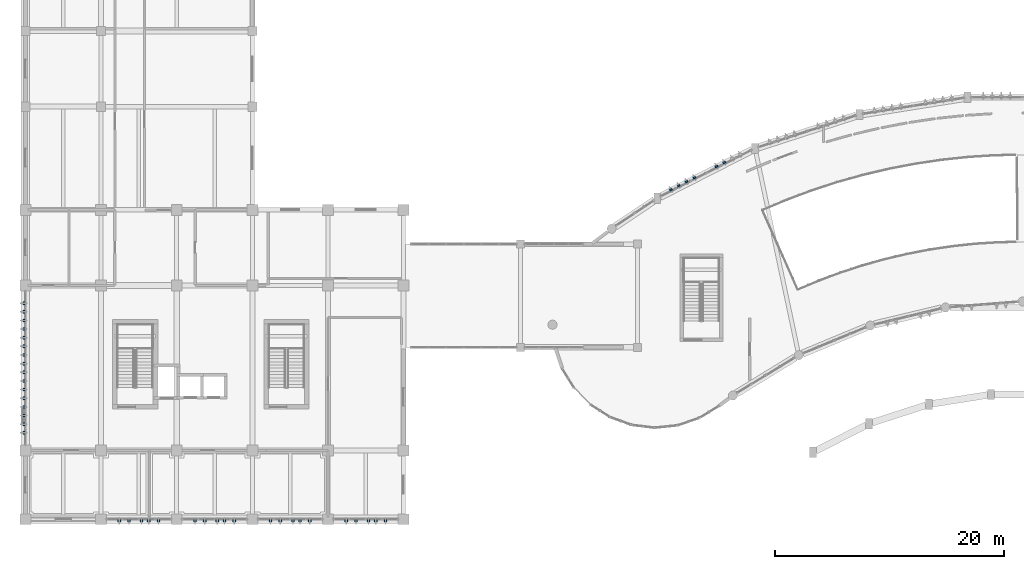
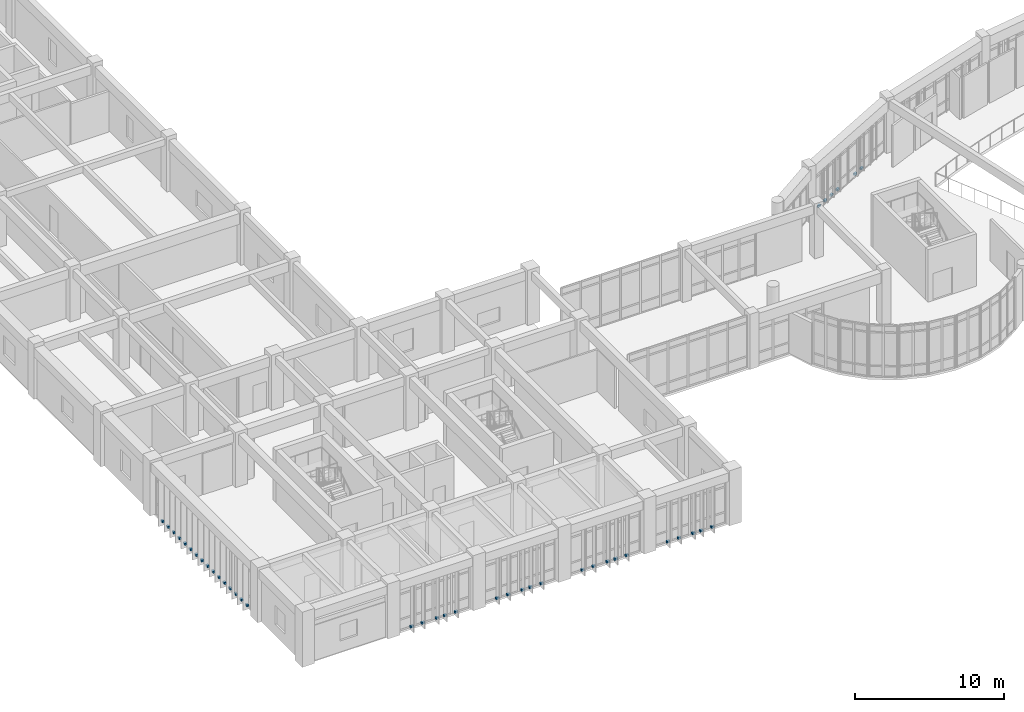
# One storey, part 51 of 57: 42 discrete accessories.
"""IFC4 building model written with IfcOpenShell, lengths in metres."""

from ifc_helpers import new_model, si_unit, direction, frame, origin, origin_2d, place, context, subcontext, project, spatial, rectangle, extrude, material, type_object, element, save


model = new_model("IFC4")

# Units and contexts
model_context = context("Model", 3, precision=1e-05, world=origin(), true_north=direction((0.0, 1.0)))
body_context = subcontext(model_context, "Body", "Model", "MODEL_VIEW")
ifc_project = project(units=[si_unit("LENGTHUNIT", "METRE"), si_unit("AREAUNIT", "SQUARE_METRE"), si_unit("VOLUMEUNIT", "CUBIC_METRE"), si_unit("PLANEANGLEUNIT", "RADIAN"), si_unit("MASSUNIT", "GRAM", prefix="KILO")], contexts=[model_context])

# Site, building, storey
site_placement = place(None, origin())
site = spatial("IfcSite", under=ifc_project, at=site_placement, CompositionType="ELEMENT")
building_placement = place(site_placement, origin())
building = spatial("IfcBuilding", under=site, at=building_placement, Name="Miralva Faculty of Natural Sciences", CompositionType="ELEMENT")
storey_placement = place(building_placement, frame((0.0, 0.0, 15.0)))
storey = spatial("IfcBuildingStorey", under=building, at=storey_placement, Name="L03", CompositionType="ELEMENT", Elevation=15.0)

# Discrete accessories
ifc_material = material(Name="Steel S355", Category="steel")
discrete_accessory_type = type_object("IfcDiscreteAccessoryType", Name="ACC-BRK01", PredefinedType="BRACKET", material=ifc_material)
for number, where, z_axis, x_axis, name in (
    (1, (59.319580078125, 31.753173828125, 0.0400390625), (0.0, 0.0, 1.0), (-0.45399049974, 0.891006524188, 0.0), "Solar fin bracket L03-85"),
    (2, (60.003662109375, 32.1015625, 0.0400390625), (0.0, 0.0, 1.0), (-0.45399049974, 0.891006524188, 0.0), "Solar fin bracket L03-86"),
    (3, (60.6875, 32.4501953125, 0.0400390625), (0.0, 0.0, 1.0), (-0.45399049974, 0.891006524188, 0.0), "Solar fin bracket L03-87"),
    (4, (61.37158203125, 32.798583984375, 0.0400390625), (0.0, 0.0, 1.0), (-0.45399049974, 0.891006524188, 0.0), "Solar fin bracket L03-88"),
    (5, (63.29931640625, 33.781005859375, 0.0400390625), (0.0, 0.0, 1.0), (-0.45399049974, 0.891006524188, 0.0), "Solar fin bracket L03-89"),
    (6, (63.984375, 34.1298828125, 0.0400390625), (0.0, 0.0, 1.0), (-0.45399049974, 0.891006524188, 0.0), "Solar fin bracket L03-90"),
    (7, (11.18310546875, 2.8798828125, 0.0400390625), (0.0, 0.0, 1.0), (0.0, -1.0, 0.0), "Solar fin bracket L03-261"),
    (8, (12.0390625, 2.8798828125, 0.0400390625), (0.0, 0.0, 1.0), (0.0, -1.0, 0.0), "Solar fin bracket L03-262"),
    (9, (13.135009765625, 2.8798828125, 0.0400390625), (0.0, 0.0, 1.0), (0.0, -1.0, 0.0), "Solar fin bracket L03-263"),
    (10, (13.7509765625, 2.8798828125, 0.0400390625), (0.0, 0.0, 1.0), (0.0, -1.0, 0.0), "Solar fin bracket L03-264"),
    (11, (14.60693359375, 2.8798828125, 0.0400390625), (0.0, 0.0, 1.0), (0.0, -1.0, 0.0), "Solar fin bracket L03-265"),
    (12, (17.783935546875, 2.8798828125, 0.0400390625), (0.0, 0.0, 1.0), (0.0, -1.0, 0.0), "Solar fin bracket L03-266"),
    (13, (18.64208984375, 2.8798828125, 0.0400390625), (0.0, 0.0, 1.0), (0.0, -1.0, 0.0), "Solar fin bracket L03-267"),
    (14, (19.739990234375, 2.8798828125, 0.0400390625), (0.0, 0.0, 1.0), (0.0, -1.0, 0.0), "Solar fin bracket L03-268"),
    (15, (20.35791015625, 2.8798828125, 0.0400390625), (0.0, 0.0, 1.0), (0.0, -1.0, 0.0), "Solar fin bracket L03-269"),
    (16, (21.216064453125, 2.8798828125, 0.0400390625), (0.0, 0.0, 1.0), (0.0, -1.0, 0.0), "Solar fin bracket L03-270"),
    (17, (24.383056640625, 2.8798828125, 0.0400390625), (0.0, 0.0, 1.0), (0.0, -1.0, 0.0), "Solar fin bracket L03-271"),
    (18, (25.239013671875, 2.8798828125, 0.0400390625), (0.0, 0.0, 1.0), (0.0, -1.0, 0.0), "Solar fin bracket L03-272"),
    (19, (26.3349609375, 2.8798828125, 0.0400390625), (0.0, 0.0, 1.0), (0.0, -1.0, 0.0), "Solar fin bracket L03-273"),
    (20, (26.950927734375, 2.8798828125, 0.0400390625), (0.0, 0.0, 1.0), (0.0, -1.0, 0.0), "Solar fin bracket L03-274"),
    (21, (27.806884765625, 2.8798828125, 0.0400390625), (0.0, 0.0, 1.0), (0.0, -1.0, 0.0), "Solar fin bracket L03-275"),
    (22, (30.98388671875, 2.8798828125, 0.0400390625), (0.0, 0.0, 1.0), (0.0, -1.0, 0.0), "Solar fin bracket L03-276"),
    (23, (31.842041015625, 2.8798828125, 0.0400390625), (0.0, 0.0, 1.0), (0.0, -1.0, 0.0), "Solar fin bracket L03-277"),
    (24, (32.93994140625, 2.8798828125, 0.0400390625), (0.0, 0.0, 1.0), (0.0, -1.0, 0.0), "Solar fin bracket L03-278"),
    (25, (33.55810546875, 2.8798828125, 0.0400390625), (0.0, 0.0, 1.0), (0.0, -1.0, 0.0), "Solar fin bracket L03-279"),
    (26, (34.416015625, 2.8798828125, 0.0400390625), (0.0, 0.0, 1.0), (0.0, -1.0, 0.0), "Solar fin bracket L03-280"),
    (27, (2.8798828125, 10.542236328125, 0.0400390625), (0.0, 0.0, 1.0), (-1.0, 0.0, 0.0), "Solar fin bracket L03-281"),
    (28, (2.8798828125, 11.296630859375, 0.0400390625), (0.0, 0.0, 1.0), (-1.0, 0.0, 0.0), "Solar fin bracket L03-282"),
    (29, (2.8798828125, 12.05078125, 0.0400390625), (0.0, 0.0, 1.0), (-1.0, 0.0, 0.0), "Solar fin bracket L03-283"),
    (30, (2.8798828125, 12.805419921875, 0.0400390625), (0.0, 0.0, 1.0), (-1.0, 0.0, 0.0), "Solar fin bracket L03-284"),
    (31, (2.8798828125, 13.559814453125, 0.0400390625), (0.0, 0.0, 1.0), (-1.0, 0.0, 0.0), "Solar fin bracket L03-285"),
    (32, (2.8798828125, 14.314208984375, 0.0400390625), (0.0, 0.0, 1.0), (-1.0, 0.0, 0.0), "Solar fin bracket L03-286"),
    (33, (2.8798828125, 15.068359375, 0.0400390625), (0.0, 0.0, 1.0), (-1.0, 0.0, 0.0), "Solar fin bracket L03-287"),
    (34, (2.8798828125, 15.82275390625, 0.0400390625), (0.0, 0.0, 1.0), (-1.0, 0.0, 0.0), "Solar fin bracket L03-288"),
    (35, (2.8798828125, 16.5771484375, 0.0400390625), (0.0, 0.0, 1.0), (-1.0, 0.0, 0.0), "Solar fin bracket L03-289"),
    (36, (2.8798828125, 17.33154296875, 0.0400390625), (0.0, 0.0, 1.0), (-1.0, 0.0, 0.0), "Solar fin bracket L03-290"),
    (37, (2.8798828125, 18.0859375, 0.0400390625), (0.0, 0.0, 1.0), (-1.0, 0.0, 0.0), "Solar fin bracket L03-291"),
    (38, (2.8798828125, 18.84033203125, 0.0400390625), (0.0, 0.0, 1.0), (-1.0, 0.0, 0.0), "Solar fin bracket L03-292"),
    (39, (2.8798828125, 19.5947265625, 0.0400390625), (0.0, 0.0, 1.0), (-1.0, 0.0, 0.0), "Solar fin bracket L03-293"),
    (40, (2.8798828125, 20.34912109375, 0.0400390625), (0.0, 0.0, 1.0), (-1.0, 0.0, 0.0), "Solar fin bracket L03-294"),
    (41, (2.8798828125, 21.103515625, 0.0400390625), (0.0, 0.0, 1.0), (-1.0, 0.0, 0.0), "Solar fin bracket L03-295"),
    (42, (2.8798828125, 21.85791015625, 0.0400390625), (0.0, 0.0, 1.0), (-1.0, 0.0, 0.0), "Solar fin bracket L03-296"),
):
    element("IfcDiscreteAccessory", number, at=place(storey_placement, frame(where, z_axis=z_axis, x_axis=x_axis)), inside=storey, type_object=discrete_accessory_type, Name=name, PredefinedType="BRACKET", context=body_context, shape_type="SweptSolid", body=[
        extrude(rectangle(XDim=0.159912109375, YDim=0.239990234375, at=origin_2d()), origin(), (0.0, 0.0, 1.0), 0.159912109375),
    ])

save(model, "model.ifc")
